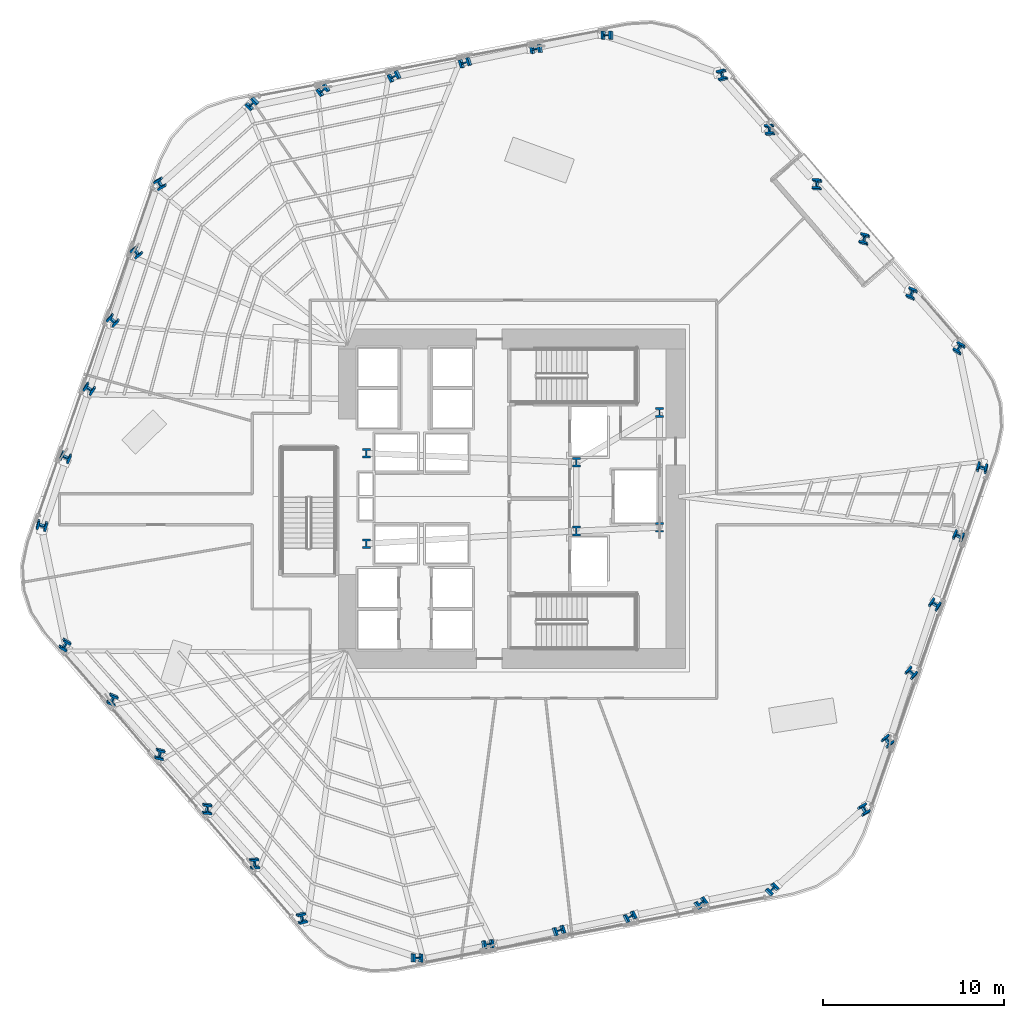
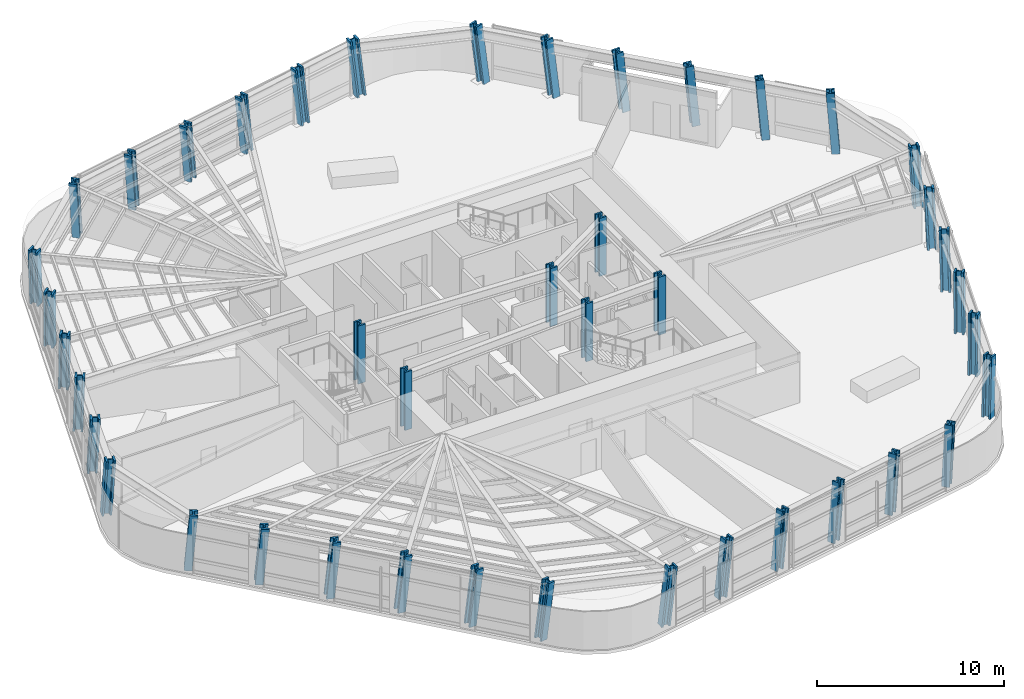
# One storey, part 1 of 18: 42 columns.
"""IFC4 building model written with IfcOpenShell, lengths in metres."""

from ifc_helpers import new_model, si_unit, direction, frame, origin, origin_2d, place, context, subcontext, project, spatial, i_section, extrude, material, material_profile, profile_set, type_object, element, save


model = new_model("IFC4")

# Units and contexts
model_context = context("Model", 3, precision=1e-05, world=origin(), true_north=direction((0.0, 1.0)))
body_context = subcontext(model_context, "Body", "Model", "MODEL_VIEW")
ifc_project = project(units=[si_unit("LENGTHUNIT", "METRE"), si_unit("AREAUNIT", "SQUARE_METRE"), si_unit("VOLUMEUNIT", "CUBIC_METRE"), si_unit("PLANEANGLEUNIT", "RADIAN"), si_unit("MASSUNIT", "GRAM", prefix="KILO")], contexts=[model_context])

# Site, building, storey
site_placement = place(None, origin())
site = spatial("IfcSite", under=ifc_project, at=site_placement, CompositionType="ELEMENT")
building_placement = place(site_placement, origin())
building = spatial("IfcBuilding", under=site, at=building_placement, Name="Valkerne Bourse Tower", CompositionType="ELEMENT")
storey_placement = place(building_placement, frame((0.0, 0.0, 69.60009765625)))
storey = spatial("IfcBuildingStorey", under=building, at=storey_placement, Name="L17", CompositionType="ELEMENT", Elevation=69.60009765625)

# Columns
ifc_material = material(Name="Steel ASTM A913 Grade 65", Category="steel")
ifc_material_profile_1 = material_profile(ifc_material, i_section(OverallWidth=0.44189453125, OverallDepth=0.531005859375, WebThickness=0.06591796875, FlangeThickness=0.105712890625, FilletRadius=0.030517578125, at=origin_2d()), Name="W14X605")
ifc_profile_set_1 = profile_set([ifc_material_profile_1], Name="Steel ASTM A913 Grade 65")
column_type_1 = type_object("IfcColumnType", Name="COL-W14X605", PredefinedType="COLUMN", material=ifc_profile_set_1)
for number, where, z_axis, x_axis, name in (
    (1, (38.75, 24.39990234375, 0.0048828125), (0.0, 0.0, 1.0), (1.0, 0.0, 0.0), "L17 Core Frame Column CC-SW"),
    (2, (38.75, 29.39990234375, 0.0048828125), (0.0, 0.0, 1.0), (1.0, 0.0, 0.0), "L17 Core Frame Column CC-NW"),
    (3, (50.35009765625, 25.10009765625, 0.0048828125), (0.0, 0.0, 1.0), (1.0, 0.0, 0.0), "L17 Core Frame Column CC-CE1"),
    (4, (50.35009765625, 28.89990234375, 0.0048828125), (0.0, 0.0, 1.0), (1.0, 0.0, 0.0), "L17 Core Frame Column CC-CE2"),
    (5, (54.949951171875, 25.300048828125, 0.0048828125), (0.0, 0.0, 1.0), (1.0, 0.0, 0.0), "L17 Core Frame Column CC-SE"),
    (6, (54.949951171875, 31.64990234375, 0.0048828125), (0.0, 0.0, 1.0), (1.0, 0.0, 0.0), "L17 Core Frame Column CC-NE"),
):
    element("IfcColumn", number, at=place(storey_placement, frame(where, z_axis=z_axis, x_axis=x_axis)), inside=storey, type_object=column_type_1, Name=name, PredefinedType="COLUMN", context=body_context, shape_type="SweptSolid", body=[
        extrude(i_section(OverallWidth=0.44189453125, OverallDepth=0.531005859375, WebThickness=0.06591796875, FlangeThickness=0.105712890625, FilletRadius=0.030517578125, at=origin_2d()), origin(), (0.0, 0.0, 1.0), 3.794921875),
    ])
ifc_material_profile_2 = material_profile(ifc_material, i_section(OverallWidth=0.44970703125, OverallDepth=0.548583984375, WebThickness=0.072021484375, FlangeThickness=0.11474609375, FilletRadius=0.030517578125, at=origin_2d()), Name="W14X665")
ifc_profile_set_2 = profile_set([ifc_material_profile_2], Name="Steel ASTM A913 Grade 65")
column_type_2 = type_object("IfcColumnType", Name="COL-W14X665", PredefinedType="COLUMN", material=ifc_profile_set_2)
column_1_placement = place(storey_placement, frame((71.52001953125, 35.140869140625, 0.010009765625), z_axis=(-0.034473335185, 0.101815101681, 0.994205851034), x_axis=(0.860270917399, -0.503301709838, 0.08137160163)))
element("IfcColumn", 7, at=column_1_placement, inside=storey, type_object=column_type_2, Name="L17 Helical Perimeter Tube Column F1-C1", PredefinedType="COLUMN", context=body_context, shape_type="SweptSolid", body=[
    extrude(i_section(OverallWidth=0.44970703125, OverallDepth=0.548583984375, WebThickness=0.072021484375, FlangeThickness=0.11474609375, FilletRadius=0.030517578125, at=origin_2d()), origin(), (0.0, 0.0, 1.0), 3.802978515625),
])
column_2_placement = place(storey_placement, frame((68.908935546875, 38.165771484375, 0.010009765625), z_axis=(-0.046888608029, 0.091015284351, 0.994745030876), x_axis=(0.925729676823, -0.370159099428, 0.077503590622)))
element("IfcColumn", 8, at=column_2_placement, inside=storey, type_object=column_type_2, Name="L17 Helical Perimeter Tube Column F1-C2", PredefinedType="COLUMN", context=body_context, shape_type="SweptSolid", body=[
    extrude(i_section(OverallWidth=0.44970703125, OverallDepth=0.548583984375, WebThickness=0.072021484375, FlangeThickness=0.11474609375, FilletRadius=0.030517578125, at=origin_2d()), origin(), (0.0, 0.0, 1.0), 3.801025390625),
])
for number, where, z_axis, x_axis, name in (
    (9, (66.2978515625, 41.190673828125, 0.010009765625), (-0.059301561176, 0.080118143865, 0.995019802751), (0.973322229619, -0.216680249602, 0.075455329579), "L17 Helical Perimeter Tube Column F1-C3"),
    (10, (63.686767578125, 44.215576171875, 0.010009765625), (-0.071701473504, 0.069260025481, 0.995018566444), (0.995720996357, -0.053336486574, 0.075464671302), "L17 Helical Perimeter Tube Column F1-C4"),
):
    element("IfcColumn", number, at=place(storey_placement, frame(where, z_axis=z_axis, x_axis=x_axis)), inside=storey, type_object=column_type_2, Name=name, PredefinedType="COLUMN", context=body_context, shape_type="SweptSolid", body=[
        extrude(i_section(OverallWidth=0.44970703125, OverallDepth=0.548583984375, WebThickness=0.072021484375, FlangeThickness=0.11474609375, FilletRadius=0.030517578125, at=origin_2d()), origin(), (0.0, 0.0, 1.0), 3.800048828125),
    ])
column_3_placement = place(storey_placement, frame((61.07568359375, 47.240478515625, 0.010009765625), z_axis=(-0.084078517723, 0.058386075332, 0.994747138254), x_axis=(0.991213755034, 0.10719555874, 0.077488089523)))
element("IfcColumn", 11, at=column_3_placement, inside=storey, type_object=column_type_2, Name="L17 Helical Perimeter Tube Column F1-C5", PredefinedType="COLUMN", context=body_context, shape_type="SweptSolid", body=[
    extrude(i_section(OverallWidth=0.44970703125, OverallDepth=0.548583984375, WebThickness=0.072021484375, FlangeThickness=0.11474609375, FilletRadius=0.030517578125, at=origin_2d()), origin(), (0.0, 0.0, 1.0), 3.801025390625),
])
for number, where, z_axis, x_axis, name in (
    (12, (58.464599609375, 50.265380859375, 0.010009765625), (-0.096486549439, 0.04744082504, 0.994203054661), (0.96369447445, 0.254299893943, 0.081391177986), "L17 Helical Perimeter Tube Column F1-C6"),
    (13, (52.10986328125, 52.478515625, 0.010009765625), (-0.105410090049, 0.021056339547, 0.994205885861), (0.009730320126, 0.999749776983, -0.020142102486), "L17 Helical Perimeter Tube Column F2-C1"),
):
    element("IfcColumn", number, at=place(storey_placement, frame(where, z_axis=z_axis, x_axis=x_axis)), inside=storey, type_object=column_type_2, Name=name, PredefinedType="COLUMN", context=body_context, shape_type="SweptSolid", body=[
        extrude(i_section(OverallWidth=0.44970703125, OverallDepth=0.548583984375, WebThickness=0.072021484375, FlangeThickness=0.11474609375, FilletRadius=0.030517578125, at=origin_2d()), origin(), (0.0, 0.0, 1.0), 3.802978515625),
    ])
column_4_placement = place(storey_placement, frame((48.1845703125, 51.729736328125, 0.010009765625), z_axis=(-0.102255819887, 0.004881559241, 0.994746157408), x_axis=(-0.139345040578, 0.990058071813, -0.019182651131)))
element("IfcColumn", 14, at=column_4_placement, inside=storey, type_object=column_type_2, Name="L17 Helical Perimeter Tube Column F2-C2", PredefinedType="COLUMN", context=body_context, shape_type="SweptSolid", body=[
    extrude(i_section(OverallWidth=0.44970703125, OverallDepth=0.548583984375, WebThickness=0.072021484375, FlangeThickness=0.11474609375, FilletRadius=0.030517578125, at=origin_2d()), origin(), (0.0, 0.0, 1.0), 3.801025390625),
])
column_5_placement = place(storey_placement, frame((44.259521484375, 50.98095703125, 0.010009765625), z_axis=(-0.099071145436, -0.011307731256, 0.995016102059), x_axis=(-0.29663727157, 0.954807422697, -0.018684610729)))
element("IfcColumn", 15, at=column_5_placement, inside=storey, type_object=column_type_2, Name="L17 Helical Perimeter Tube Column F2-C3", PredefinedType="COLUMN", context=body_context, shape_type="SweptSolid", body=[
    extrude(i_section(OverallWidth=0.44970703125, OverallDepth=0.548583984375, WebThickness=0.072021484375, FlangeThickness=0.11474609375, FilletRadius=0.030517578125, at=origin_2d()), origin(), (0.0, 0.0, 1.0), 3.800048828125),
])
column_6_placement = place(storey_placement, frame((40.334228515625, 50.232177734375, 0.010009765625), z_axis=(-0.095794962656, -0.027498486933, 0.995021184873), x_axis=(-0.450236689516, 0.892713931722, -0.018675104364)))
element("IfcColumn", 16, at=column_6_placement, inside=storey, type_object=column_type_2, Name="L17 Helical Perimeter Tube Column F2-C4", PredefinedType="COLUMN", context=body_context, shape_type="SweptSolid", body=[
    extrude(i_section(OverallWidth=0.44970703125, OverallDepth=0.548583984375, WebThickness=0.072021484375, FlangeThickness=0.11474609375, FilletRadius=0.030517578125, at=origin_2d()), origin(), (0.0, 0.0, 1.0), 3.7998046875),
])
column_7_placement = place(storey_placement, frame((36.408935546875, 49.4833984375, 0.010009765625), z_axis=(-0.09255719192, -0.04367723144, 0.994748946055), x_axis=(-0.587775689451, 0.808796612002, -0.019177572954)))
element("IfcColumn", 17, at=column_7_placement, inside=storey, type_object=column_type_2, Name="L17 Helical Perimeter Tube Column F2-C5", PredefinedType="COLUMN", context=body_context, shape_type="SweptSolid", body=[
    extrude(i_section(OverallWidth=0.44970703125, OverallDepth=0.548583984375, WebThickness=0.072021484375, FlangeThickness=0.11474609375, FilletRadius=0.030517578125, at=origin_2d()), origin(), (0.0, 0.0, 1.0), 3.801025390625),
])
for number, where, z_axis, x_axis, name in (
    (18, (32.48388671875, 48.734619140625, 0.010009765625), (-0.089360583061, -0.059830505325, 0.994200682371), (-0.701298541897, 0.712582828555, -0.020151118623), "L17 Helical Perimeter Tube Column F2-C6"),
    (19, (27.389892578125, 44.337646484375, 0.010009765625), (-0.070937144519, -0.080695014173, 0.994211363954), (-0.866900766406, -0.488044868056, -0.101465599924), "L17 Helical Perimeter Tube Column F3-C1"),
):
    element("IfcColumn", number, at=place(storey_placement, frame(where, z_axis=z_axis, x_axis=x_axis)), inside=storey, type_object=column_type_2, Name=name, PredefinedType="COLUMN", context=body_context, shape_type="SweptSolid", body=[
        extrude(i_section(OverallWidth=0.44970703125, OverallDepth=0.548583984375, WebThickness=0.072021484375, FlangeThickness=0.11474609375, FilletRadius=0.030517578125, at=origin_2d()), origin(), (0.0, 0.0, 1.0), 3.802978515625),
    ])
column_8_placement = place(storey_placement, frame((26.07568359375, 40.56396484375, 0.010009765625), z_axis=(-0.055367341041, -0.086069880505, 0.994749432378), x_axis=(-0.784817591286, -0.612144208609, -0.096647898445)))
element("IfcColumn", 20, at=column_8_placement, inside=storey, type_object=column_type_2, Name="L17 Helical Perimeter Tube Column F3-C2", PredefinedType="COLUMN", context=body_context, shape_type="SweptSolid", body=[
    extrude(i_section(OverallWidth=0.44970703125, OverallDepth=0.548583984375, WebThickness=0.072021484375, FlangeThickness=0.11474609375, FilletRadius=0.030517578125, at=origin_2d()), origin(), (0.0, 0.0, 1.0), 3.801025390625),
])
for number, where, z_axis, x_axis, name in (
    (21, (24.76171875, 36.790283203125, 0.010009765625), (-0.039769858169, -0.091425699797, 0.995017436932), (-0.676396498544, -0.730494731357, -0.094155319644), "L17 Helical Perimeter Tube Column F3-C3"),
    (22, (23.447509765625, 33.0166015625, 0.010009765625), (-0.024093181321, -0.096758216183, 0.995016264297), (-0.546170701789, -0.832364258658, -0.094166370938), "L17 Helical Perimeter Tube Column F3-C4"),
):
    element("IfcColumn", number, at=place(storey_placement, frame(where, z_axis=z_axis, x_axis=x_axis)), inside=storey, type_object=column_type_2, Name=name, PredefinedType="COLUMN", context=body_context, shape_type="SweptSolid", body=[
        extrude(i_section(OverallWidth=0.44970703125, OverallDepth=0.548583984375, WebThickness=0.072021484375, FlangeThickness=0.11474609375, FilletRadius=0.030517578125, at=origin_2d()), origin(), (0.0, 0.0, 1.0), 3.800048828125),
    ])
column_9_placement = place(storey_placement, frame((22.13330078125, 29.242919921875, 0.010009765625), z_axis=(-0.008478460814, -0.102062683581, 0.994741838028), x_axis=(-0.405507778361, -0.908960478017, -0.096717584188)))
element("IfcColumn", 23, at=column_9_placement, inside=storey, type_object=column_type_2, Name="L17 Helical Perimeter Tube Column F3-C5", PredefinedType="COLUMN", context=body_context, shape_type="SweptSolid", body=[
    extrude(i_section(OverallWidth=0.44970703125, OverallDepth=0.548583984375, WebThickness=0.072021484375, FlangeThickness=0.11474609375, FilletRadius=0.030517578125, at=origin_2d()), origin(), (0.0, 0.0, 1.0), 3.801025390625),
])
for number, where, z_axis, x_axis, name in (
    (24, (20.819091796875, 25.468994140625, 0.010009765625), (0.007190003736, -0.107208091427, 0.994210605948), (-0.265301927032, -0.95881086525, -0.101472223745), "L17 Helical Perimeter Tube Column F3-C6"),
    (25, (22.080078125, 18.859130859375, 0.010009765625), (0.034409215108, -0.101815326795, 0.994208049226), (0.859986556336, -0.503789926541, -0.081356209575), "L17 Helical Perimeter Tube Column F4-C1"),
):
    element("IfcColumn", number, at=place(storey_placement, frame(where, z_axis=z_axis, x_axis=x_axis)), inside=storey, type_object=column_type_2, Name=name, PredefinedType="COLUMN", context=body_context, shape_type="SweptSolid", body=[
        extrude(i_section(OverallWidth=0.44970703125, OverallDepth=0.548583984375, WebThickness=0.072021484375, FlangeThickness=0.11474609375, FilletRadius=0.030517578125, at=origin_2d()), origin(), (0.0, 0.0, 1.0), 3.802978515625),
    ])
column_10_placement = place(storey_placement, frame((24.691162109375, 15.834228515625, 0.010009765625), z_axis=(0.046824517984, -0.091015558276, 0.994748024711), x_axis=(0.925524072247, -0.370677485547, -0.077481568134)))
element("IfcColumn", 26, at=column_10_placement, inside=storey, type_object=column_type_2, Name="L17 Helical Perimeter Tube Column F4-C2", PredefinedType="COLUMN", context=body_context, shape_type="SweptSolid", body=[
    extrude(i_section(OverallWidth=0.44970703125, OverallDepth=0.548583984375, WebThickness=0.072021484375, FlangeThickness=0.11474609375, FilletRadius=0.030517578125, at=origin_2d()), origin(), (0.0, 0.0, 1.0), 3.801025390625),
])
for number, where, z_axis, x_axis, name in (
    (27, (27.30224609375, 12.809326171875, 0.010009765625), (0.059301561176, -0.080118143865, 0.995019802751), (0.973322229619, -0.216680249602, -0.075455329579), "L17 Helical Perimeter Tube Column F4-C3"),
    (28, (29.913330078125, 9.784423828125, 0.010009765625), (0.071701473504, -0.069260025481, 0.995018566444), (0.995720996357, -0.053336486574, -0.075464671302), "L17 Helical Perimeter Tube Column F4-C4"),
):
    element("IfcColumn", number, at=place(storey_placement, frame(where, z_axis=z_axis, x_axis=x_axis)), inside=storey, type_object=column_type_2, Name=name, PredefinedType="COLUMN", context=body_context, shape_type="SweptSolid", body=[
        extrude(i_section(OverallWidth=0.44970703125, OverallDepth=0.548583984375, WebThickness=0.072021484375, FlangeThickness=0.11474609375, FilletRadius=0.030517578125, at=origin_2d()), origin(), (0.0, 0.0, 1.0), 3.800048828125),
    ])
column_11_placement = place(storey_placement, frame((32.5244140625, 6.759521484375, 0.010009765625), z_axis=(0.084078517723, -0.058386075332, 0.994747138254), x_axis=(0.991213755034, 0.10719555874, -0.077488089523)))
element("IfcColumn", 29, at=column_11_placement, inside=storey, type_object=column_type_2, Name="L17 Helical Perimeter Tube Column F4-C5", PredefinedType="COLUMN", context=body_context, shape_type="SweptSolid", body=[
    extrude(i_section(OverallWidth=0.44970703125, OverallDepth=0.548583984375, WebThickness=0.072021484375, FlangeThickness=0.11474609375, FilletRadius=0.030517578125, at=origin_2d()), origin(), (0.0, 0.0, 1.0), 3.801025390625),
])
for number, where, z_axis, x_axis, name in (
    (30, (35.135498046875, 3.734619140625, 0.010009765625), (0.096422950516, -0.047441118796, 0.994209210811), (0.963765652615, 0.25404381033, -0.081348074798), "L17 Helical Perimeter Tube Column F4-C6"),
    (31, (41.489990234375, 1.521484375, 0.010009765625), (0.105473572259, -0.021056197018, 0.994199156166), (0.009614668143, 0.999750660925, 0.020153762318), "L17 Helical Perimeter Tube Column F5-C1"),
):
    element("IfcColumn", number, at=place(storey_placement, frame(where, z_axis=z_axis, x_axis=x_axis)), inside=storey, type_object=column_type_2, Name=name, PredefinedType="COLUMN", context=body_context, shape_type="SweptSolid", body=[
        extrude(i_section(OverallWidth=0.44970703125, OverallDepth=0.548583984375, WebThickness=0.072021484375, FlangeThickness=0.11474609375, FilletRadius=0.030517578125, at=origin_2d()), origin(), (0.0, 0.0, 1.0), 3.802978515625),
    ])
column_12_placement = place(storey_placement, frame((45.415283203125, 2.270263671875, 0.010009765625), z_axis=(0.102255819887, -0.004881559241, 0.994746157408), x_axis=(-0.139345040578, 0.990058071813, 0.019182651131)))
element("IfcColumn", 32, at=column_12_placement, inside=storey, type_object=column_type_2, Name="L17 Helical Perimeter Tube Column F5-C2", PredefinedType="COLUMN", context=body_context, shape_type="SweptSolid", body=[
    extrude(i_section(OverallWidth=0.44970703125, OverallDepth=0.548583984375, WebThickness=0.072021484375, FlangeThickness=0.11474609375, FilletRadius=0.030517578125, at=origin_2d()), origin(), (0.0, 0.0, 1.0), 3.801025390625),
])
for number, where, z_axis, x_axis, name in (
    (33, (49.340576171875, 3.01904296875, 0.010009765625), (0.099007526961, 0.011307803209, 0.995022433512), (-0.29670825935, 0.954785597167, 0.018672768293), "L17 Helical Perimeter Tube Column F5-C3"),
    (34, (53.265869140625, 3.767822265625, 0.010009765625), (0.095794962656, 0.027498486933, 0.995021184873), (-0.450236689516, 0.892713931722, 0.018675104364), "L17 Helical Perimeter Tube Column F5-C4"),
):
    element("IfcColumn", number, at=place(storey_placement, frame(where, z_axis=z_axis, x_axis=x_axis)), inside=storey, type_object=column_type_2, Name=name, PredefinedType="COLUMN", context=body_context, shape_type="SweptSolid", body=[
        extrude(i_section(OverallWidth=0.44970703125, OverallDepth=0.548583984375, WebThickness=0.072021484375, FlangeThickness=0.11474609375, FilletRadius=0.030517578125, at=origin_2d()), origin(), (0.0, 0.0, 1.0), 3.7998046875),
    ])
column_13_placement = place(storey_placement, frame((57.19091796875, 4.5166015625, 0.010009765625), z_axis=(0.092620872317, 0.043676971689, 0.994743030212), x_axis=(-0.58755816499, 0.808954393152, 0.019188344197)))
element("IfcColumn", 35, at=column_13_placement, inside=storey, type_object=column_type_2, Name="L17 Helical Perimeter Tube Column F5-C5", PredefinedType="COLUMN", context=body_context, shape_type="SweptSolid", body=[
    extrude(i_section(OverallWidth=0.44970703125, OverallDepth=0.548583984375, WebThickness=0.072021484375, FlangeThickness=0.11474609375, FilletRadius=0.030517578125, at=origin_2d()), origin(), (0.0, 0.0, 1.0), 3.801025390625),
])
for number, where, z_axis, x_axis, name in (
    (36, (61.1162109375, 5.265380859375, 0.010009765625), (0.089296899315, 0.059830848427, 0.99420638368), (-0.701536164955, 0.712349169806, 0.020141239697), "L17 Helical Perimeter Tube Column F5-C6"),
    (37, (66.210205078125, 9.662353515625, 0.010009765625), (0.070937144519, 0.080695014173, 0.994211363954), (-0.866900766406, -0.488044868056, 0.101465599924), "L17 Helical Perimeter Tube Column F6-C1"),
):
    element("IfcColumn", number, at=place(storey_placement, frame(where, z_axis=z_axis, x_axis=x_axis)), inside=storey, type_object=column_type_2, Name=name, PredefinedType="COLUMN", context=body_context, shape_type="SweptSolid", body=[
        extrude(i_section(OverallWidth=0.44970703125, OverallDepth=0.548583984375, WebThickness=0.072021484375, FlangeThickness=0.11474609375, FilletRadius=0.030517578125, at=origin_2d()), origin(), (0.0, 0.0, 1.0), 3.802978515625),
    ])
column_14_placement = place(storey_placement, frame((67.524169921875, 13.43603515625, 0.010009765625), z_axis=(0.055367341041, 0.086069880505, 0.994749432378), x_axis=(-0.784817591286, -0.612144208609, 0.096647898445)))
element("IfcColumn", 38, at=column_14_placement, inside=storey, type_object=column_type_2, Name="L17 Helical Perimeter Tube Column F6-C2", PredefinedType="COLUMN", context=body_context, shape_type="SweptSolid", body=[
    extrude(i_section(OverallWidth=0.44970703125, OverallDepth=0.548583984375, WebThickness=0.072021484375, FlangeThickness=0.11474609375, FilletRadius=0.030517578125, at=origin_2d()), origin(), (0.0, 0.0, 1.0), 3.801025390625),
])
for number, where, z_axis, x_axis, name in (
    (39, (68.83837890625, 17.209716796875, 0.010009765625), (0.039769858169, 0.091425699797, 0.995017436932), (-0.676396498544, -0.730494731357, 0.094155319644), "L17 Helical Perimeter Tube Column F6-C3"),
    (40, (70.152587890625, 20.9833984375, 0.010009765625), (0.024093181321, 0.096758216183, 0.995016264297), (-0.546170701789, -0.832364258658, 0.094166370938), "L17 Helical Perimeter Tube Column F6-C4"),
):
    element("IfcColumn", number, at=place(storey_placement, frame(where, z_axis=z_axis, x_axis=x_axis)), inside=storey, type_object=column_type_2, Name=name, PredefinedType="COLUMN", context=body_context, shape_type="SweptSolid", body=[
        extrude(i_section(OverallWidth=0.44970703125, OverallDepth=0.548583984375, WebThickness=0.072021484375, FlangeThickness=0.11474609375, FilletRadius=0.030517578125, at=origin_2d()), origin(), (0.0, 0.0, 1.0), 3.800048828125),
    ])
column_15_placement = place(storey_placement, frame((71.466796875, 24.757080078125, 0.010009765625), z_axis=(0.008414234615, 0.102062738952, 0.994742377691), x_axis=(-0.404939599047, -0.909214269336, 0.096712633916)))
element("IfcColumn", 41, at=column_15_placement, inside=storey, type_object=column_type_2, Name="L17 Helical Perimeter Tube Column F6-C5", PredefinedType="COLUMN", context=body_context, shape_type="SweptSolid", body=[
    extrude(i_section(OverallWidth=0.44970703125, OverallDepth=0.548583984375, WebThickness=0.072021484375, FlangeThickness=0.11474609375, FilletRadius=0.030517578125, at=origin_2d()), origin(), (0.0, 0.0, 1.0), 3.801025390625),
])
column_16_placement = place(storey_placement, frame((72.78076171875, 28.531005859375, 0.010009765625), z_axis=(-0.007125810549, 0.107208140691, 0.9942110628), x_axis=(-0.265873441455, -0.958652966982, 0.101468231605)))
element("IfcColumn", 42, at=column_16_placement, inside=storey, type_object=column_type_2, Name="L17 Helical Perimeter Tube Column F6-C6", PredefinedType="COLUMN", context=body_context, shape_type="SweptSolid", body=[
    extrude(i_section(OverallWidth=0.44970703125, OverallDepth=0.548583984375, WebThickness=0.072021484375, FlangeThickness=0.11474609375, FilletRadius=0.030517578125, at=origin_2d()), origin(), (0.0, 0.0, 1.0), 3.802978515625),
])

save(model, "model.ifc")
